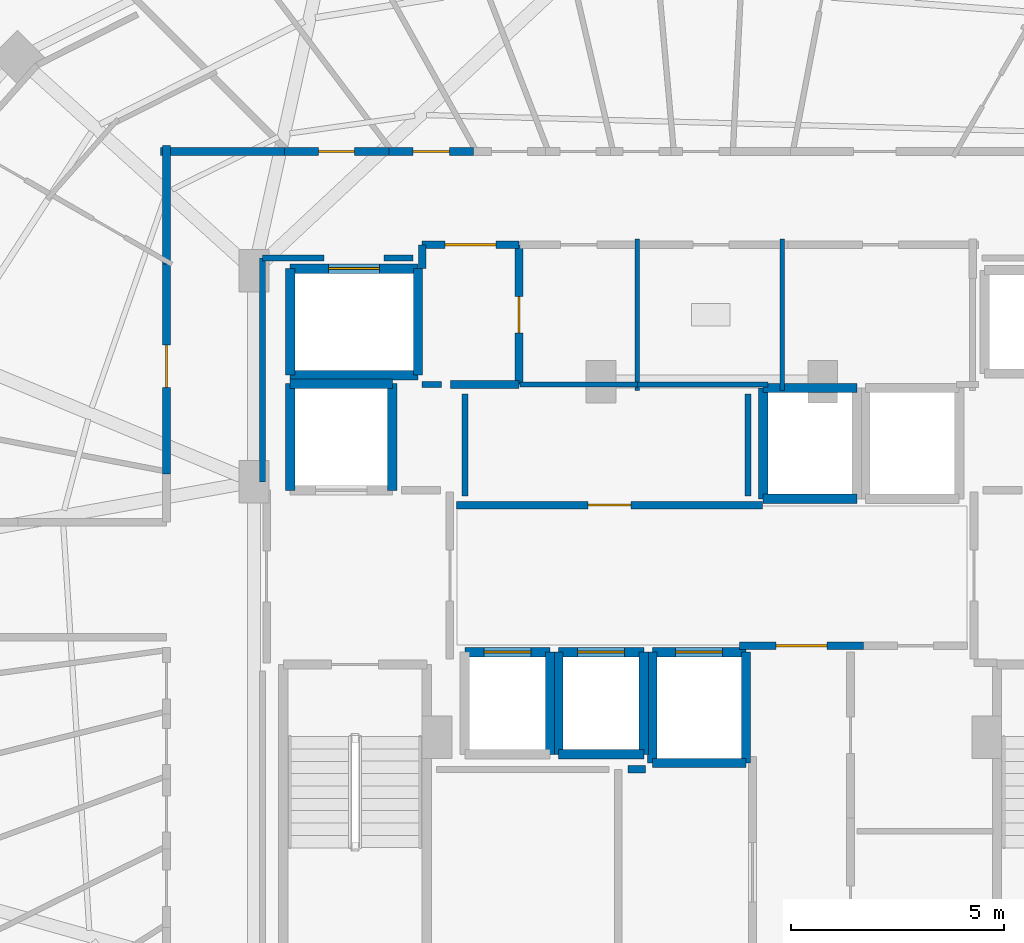
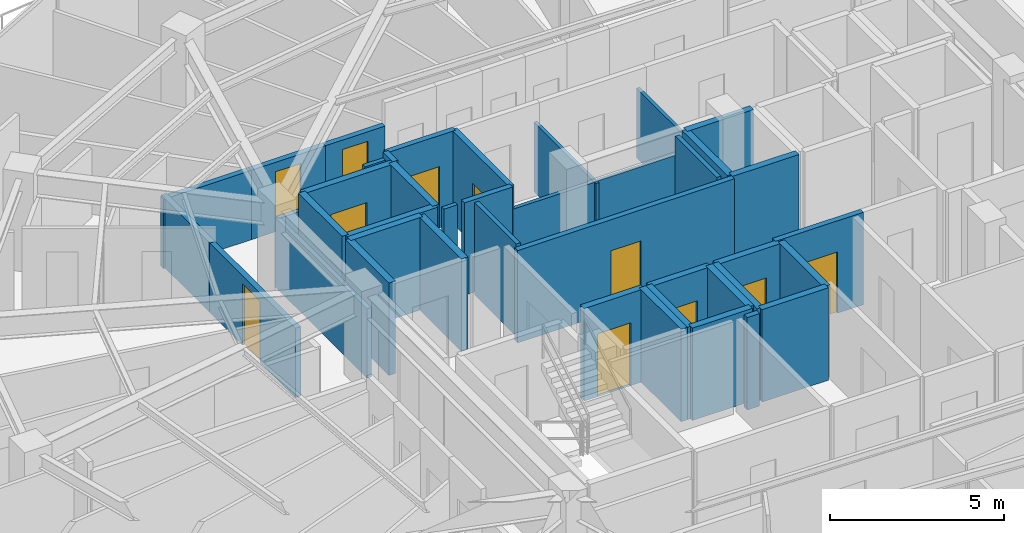
# One storey, part 26 of 33: 42 walls, 11 doors, 11 openings.
"""IFC4 building model written with IfcOpenShell, lengths in metres."""

from ifc_helpers import new_model, si_unit, direction, frame, frame_2d, origin, place, context, subcontext, project, spatial, rectangle, extrude, material, layer, layer_set, type_object, element, fill, save


model = new_model("IFC4")

# Units and contexts
model_context = context("Model", 3, precision=1e-05, world=origin(), true_north=direction((0.0, 1.0)))
body_context = subcontext(model_context, "Body", "Model", "MODEL_VIEW")
ifc_project = project(units=[si_unit("LENGTHUNIT", "METRE"), si_unit("AREAUNIT", "SQUARE_METRE"), si_unit("VOLUMEUNIT", "CUBIC_METRE"), si_unit("PLANEANGLEUNIT", "RADIAN"), si_unit("MASSUNIT", "GRAM", prefix="KILO")], contexts=[model_context])

# Site, building, storey
site_placement = place(None, origin())
site = spatial("IfcSite", under=ifc_project, at=site_placement, CompositionType="ELEMENT")
building_placement = place(site_placement, origin())
building = spatial("IfcBuilding", under=site, at=building_placement, Name="Vorneva Point Tower", CompositionType="ELEMENT")
storey_placement = place(building_placement, frame((0.0, 0.0, 196.60009765625)))
storey = spatial("IfcBuildingStorey", under=building, at=storey_placement, Name="L53", CompositionType="ELEMENT", Elevation=196.60009765625)

# Walls
ifc_material_1 = material(Name="Concrete B60 (C50/60)", Category="concrete")
ifc_layer_1 = layer(ifc_material_1, 0.35009765625)
ifc_layer_set_1 = layer_set([ifc_layer_1], Name="Concrete B60 (C50/60)")
wall_type_1 = type_object("IfcWallType", Name="WL-CORE-350", PredefinedType="SHEAR", material=ifc_layer_set_1)
wall_1_placement = place(storey_placement, frame((30.5, 28.0, 0.0), z_axis=(0.0, 0.0, 1.0), x_axis=(0.0, 1.0, 0.0)))
element("IfcWall", 1, at=wall_1_placement, inside=storey, type_object=wall_type_1, Name="L53 Lift FFL1 Shaft Wall +X", PredefinedType="SHEAR", context=body_context, shape_type="SweptSolid", body=[
    extrude(rectangle(XDim=2.5, YDim=0.219970703125, at=frame_2d((1.25, 0.0))), origin(), (0.0, 0.0, 1.0), 3.239990234375),
])
wall_2_placement = place(storey_placement, frame((30.5, 30.5, 0.0), z_axis=(0.0, 0.0, 1.0), x_axis=(-1.0, 0.0, 0.0)))
element("IfcWall", 2, at=wall_2_placement, inside=storey, type_object=wall_type_1, Name="L53 Lift FFL1 Shaft Wall +Y", PredefinedType="SHEAR", context=body_context, shape_type="SweptSolid", body=[
    extrude(rectangle(XDim=2.39990234375, YDim=0.219970703125, at=frame_2d((1.199951171875, 0.0))), origin(), (0.0, 0.0, 1.0), 3.239990234375),
])
wall_3_placement = place(storey_placement, frame((28.10009765625, 30.5, 0.0), z_axis=(0.0, 0.0, 1.0), x_axis=(0.0, -1.0, 0.0)))
element("IfcWall", 3, at=wall_3_placement, inside=storey, type_object=wall_type_1, Name="L53 Lift FFL1 Shaft Wall -X", PredefinedType="SHEAR", context=body_context, shape_type="SweptSolid", body=[
    extrude(rectangle(XDim=2.5, YDim=0.219970703125, at=frame_2d((1.25, 0.0))), origin(), (0.0, 0.0, 1.0), 3.239990234375),
])
ifc_material_2 = material(Name="Fire-rated acoustic gypsum stud partition", Category="gypsum")
ifc_layer_2 = layer(ifc_material_2, 0.110107421875)
ifc_layer_set_2 = layer_set([ifc_layer_2], Name="Fire-rated acoustic gypsum stud partition")
wall_type_2 = type_object("IfcWallType", Name="WL-PART-110", PredefinedType="PARTITIONING", material=ifc_layer_set_2)
for number, where, z_axis, x_axis, name in (
    (4, (36.25, 30.340087890625, 0.0), (0.0, 0.0, 1.0), (0.0, 1.0, 0.0), "L53 Interior Partition 019"),
    (5, (39.64990234375, 30.340087890625, 0.0), (0.0, 0.0, 1.0), (0.0, 1.0, 0.0), "L53 Interior Partition 022"),
):
    element("IfcWall", number, at=place(storey_placement, frame(where, z_axis=z_axis, x_axis=x_axis)), inside=storey, type_object=wall_type_2, Name=name, PredefinedType="PARTITIONING", context=body_context, shape_type="SweptSolid", body=[
        extrude(rectangle(XDim=3.559814453125, YDim=0.110107421875, at=frame_2d((1.77978515625, 0.0))), origin(), (0.0, 0.0, 1.0), 2.431884765625),
    ])
wall_4_placement = place(storey_placement, frame((36.159912109375, 30.47998046875, 0.0), z_axis=(0.0, 0.0, 1.0), x_axis=(1.0, 0.0, 0.0)))
element("IfcWall", 6, at=wall_4_placement, inside=storey, type_object=wall_type_2, Name="L53 Interior Partition 023", PredefinedType="PARTITIONING", context=body_context, shape_type="SweptSolid", body=[
    extrude(rectangle(XDim=3.16015625, YDim=0.110107421875, at=frame_2d((1.580078125, 0.0))), origin(), (0.0, 0.0, 1.0), 2.431884765625),
])
ifc_layer_3 = layer(ifc_material_2, 0.125)
ifc_layer_set_3 = layer_set([ifc_layer_3], Name="Fire-rated acoustic gypsum stud partition")
wall_type_3 = type_object("IfcWallType", Name="WL-PART-125", PredefinedType="PARTITIONING", material=ifc_layer_set_3)
wall_5_placement = place(storey_placement, frame((33.5, 30.47998046875, 0.0), z_axis=(0.0, 0.0, 1.0), x_axis=(1.0, 0.0, 0.0)))
element("IfcWall", 7, at=wall_5_placement, inside=storey, type_object=wall_type_3, Name="L53 Interior Partition 020", PredefinedType="PARTITIONING", context=body_context, shape_type="SweptSolid", body=[
    extrude(rectangle(XDim=2.75, YDim=0.125, at=frame_2d((1.375, 0.0))), origin(), (0.0, 0.0, 1.0), 2.431884765625),
])
ifc_layer_4 = layer(ifc_material_2, 0.139892578125)
ifc_layer_set_4 = layer_set([ifc_layer_4], Name="Fire-rated acoustic gypsum stud partition")
wall_type_4 = type_object("IfcWallType", Name="WL-PART-140", PredefinedType="PARTITIONING", material=ifc_layer_set_4)
wall_6_placement = place(storey_placement, frame((31.199951171875, 30.47998046875, 0.0), z_axis=(0.0, 0.0, 1.0), x_axis=(1.0, 0.0, 0.0)))
element("IfcWall", 8, at=wall_6_placement, inside=storey, type_object=wall_type_4, Name="L53 Interior Closure Partition 131", PredefinedType="PARTITIONING", context=body_context, shape_type="SweptSolid", body=[
    extrude(rectangle(XDim=0.449951171875, YDim=0.139892578125, at=frame_2d((0.22509765625, 0.0))), origin(), (0.0, 0.0, 1.0), 3.239990234375),
])
for number, where, z_axis, x_axis, name in (
    (9, (32.199951171875, 30.260009765625, 0.0), (0.0, 0.0, 1.0), (0.0, -1.0, 0.0), "L53 Interior Closure Partition 136"),
    (10, (38.85009765625, 27.8701171875, 0.0), (0.0, 0.0, 1.0), (0.0, 1.0, 0.0), "L53 Interior Closure Partition 137"),
):
    element("IfcWall", number, at=place(storey_placement, frame(where, z_axis=z_axis, x_axis=x_axis)), inside=storey, type_object=wall_type_4, Name=name, PredefinedType="PARTITIONING", context=body_context, shape_type="SweptSolid", body=[
        extrude(rectangle(XDim=2.389892578125, YDim=0.139892578125, at=frame_2d((1.19482421875, 0.0))), origin(), (0.0, 0.0, 1.0), 3.239990234375),
    ])
wall_7_placement = place(storey_placement, frame((30.97998046875, 33.449951171875, 0.0), z_axis=(0.0, 0.0, 1.0), x_axis=(-1.0, 0.0, 0.0)))
element("IfcWall", 11, at=wall_7_placement, inside=storey, type_object=wall_type_4, Name="L53 Interior Closure Partition 141", PredefinedType="PARTITIONING", context=body_context, shape_type="SweptSolid", body=[
    extrude(rectangle(XDim=0.674072265625, YDim=0.139892578125, at=frame_2d((0.3369140625, 0.0))), origin(), (0.0, 0.0, 1.0), 3.239990234375),
])
wall_8_placement = place(storey_placement, frame((28.89404296875, 33.449951171875, 0.0), z_axis=(0.0, 0.0, 1.0), x_axis=(-1.0, 0.0, 0.0)))
element("IfcWall", 12, at=wall_8_placement, inside=storey, type_object=wall_type_4, Name="L53 Interior Closure Partition 142", PredefinedType="PARTITIONING", context=body_context, shape_type="SweptSolid", body=[
    extrude(rectangle(XDim=1.444091796875, YDim=0.139892578125, at=frame_2d((0.72216796875, 0.0))), origin(), (0.0, 0.0, 1.0), 2.431884765625),
])
wall_9_placement = place(storey_placement, frame((27.449951171875, 33.449951171875, 0.0), z_axis=(0.0, 0.0, 1.0), x_axis=(0.0, -1.0, 0.0)))
element("IfcWall", 13, at=wall_9_placement, inside=storey, type_object=wall_type_4, Name="L53 Interior Closure Partition 143", PredefinedType="PARTITIONING", context=body_context, shape_type="SweptSolid", body=[
    extrude(rectangle(XDim=5.25390625, YDim=0.139892578125, at=frame_2d((2.626953125, 0.0))), origin(), (0.0, 0.0, 1.0), 2.431884765625),
])

# Wall, opening, door
ifc_material_3 = material(Name="Autoclaved aerated concrete blockwork", Category="masonry")
ifc_layer_5 = layer(ifc_material_3, 0.179931640625)
ifc_layer_set_5 = layer_set([ifc_layer_5], Name="Autoclaved aerated concrete blockwork")
wall_type_5 = type_object("IfcWallType", Name="WL-PART-180", PredefinedType="PARTITIONING", material=ifc_layer_set_5)
wall_10_placement = place(storey_placement, frame((33.469970703125, 30.47998046875, 0.0), z_axis=(0.0, 0.0, 1.0), x_axis=(0.0, 1.0, 0.0)))
wall_10 = element("IfcWall", 14, at=wall_10_placement, inside=storey, type_object=wall_type_5, Name="L53 Interior Partition 006", PredefinedType="PARTITIONING", context=body_context, shape_type="SweptSolid", body=[
    extrude(rectangle(XDim=3.280029296875, YDim=0.179931640625, at=frame_2d((1.64013671875, 0.0))), origin(), (0.0, 0.0, 1.0), 3.239990234375),
])
opening_1_placement = place(wall_10_placement, frame((1.215087890625, 0.0, 0.0)))
opening_1 = element("IfcOpeningElement", 15, at=opening_1_placement, cuts=wall_10, Name="Opening ID-02", PredefinedType="OPENING", context=body_context, shape_type="SweptSolid", body=[
    extrude(rectangle(XDim=0.85009765625, YDim=2.10009765625, at=frame_2d((0.425048828125, 1.050048828125))), frame((0.0, 0.10498046875, 0.0), z_axis=(0.0, -1.0, 0.0), x_axis=(1.0, 0.0, 0.0)), (0.0, 0.0, 1.0), 0.209716796875),
])
ifc_material_4 = material(Name="Engineered oak fire-rated door leaf", Category="wood")
door_type_1 = type_object("IfcDoorType", Name="DR-BATH-850", OperationType="NOTDEFINED", PredefinedType="DOOR", material=ifc_material_4)
door_1_placement = place(opening_1_placement, origin())
door_1 = element("IfcDoor", 16, at=door_1_placement, inside=storey, type_object=door_type_1, Name="L53 Door Service Lift Lobby / Core Supply Store", OperationType="SINGLE_SWING_LEFT", OverallHeight=2.10009765625, OverallWidth=0.85009765625, PredefinedType="DOOR", context=body_context, shape_type="SweptSolid", body=[
    extrude(rectangle(XDim=0.85009765625, YDim=2.10009765625, at=frame_2d((0.425048828125, 1.050048828125))), frame((0.0, 0.02490234375, 0.0), z_axis=(0.0, -1.0, 0.0), x_axis=(1.0, 0.0, 0.0)), (0.0, 0.0, 1.0), 0.050048828125),
])
fill(opening_1, door_1)

# Wall
wall_11_placement = place(storey_placement, frame((31.8701171875, 30.47998046875, 0.0), z_axis=(0.0, 0.0, 1.0), x_axis=(1.0, 0.0, 0.0)))
element("IfcWall", 17, at=wall_11_placement, inside=storey, type_object=wall_type_5, Name="L53 Interior Partition 007", PredefinedType="PARTITIONING", context=body_context, shape_type="SweptSolid", body=[
    extrude(rectangle(XDim=1.599853515625, YDim=0.179931640625, at=frame_2d((0.7998046875, 0.0))), origin(), (0.0, 0.0, 1.0), 3.239990234375),
])

# Wall, opening, door
wall_12_placement = place(storey_placement, frame((33.469970703125, 33.760009765625, 0.0), z_axis=(0.0, 0.0, 1.0), x_axis=(-1.0, 0.0, 0.0)))
wall_12 = element("IfcWall", 18, at=wall_12_placement, inside=storey, type_object=wall_type_5, Name="L53 Interior Partition 008", PredefinedType="PARTITIONING", context=body_context, shape_type="SweptSolid", body=[
    extrude(rectangle(XDim=2.27001953125, YDim=0.179931640625, at=frame_2d((1.135009765625, 0.0))), origin(), (0.0, 0.0, 1.0), 3.239990234375),
])
opening_2_placement = place(wall_12_placement, frame((0.534912109375, 0.0, 0.0)))
opening_2 = element("IfcOpeningElement", 19, at=opening_2_placement, cuts=wall_12, Name="Opening FD-02", PredefinedType="OPENING", context=body_context, shape_type="SweptSolid", body=[
    extrude(rectangle(XDim=1.199951171875, YDim=2.14990234375, at=frame_2d((0.60009765625, 1.074951171875))), frame((0.0, 0.10498046875, 0.0), z_axis=(0.0, -1.0, 0.0), x_axis=(1.0, 0.0, 0.0)), (0.0, 0.0, 1.0), 0.209716796875),
])
ifc_material_5 = material(Name="Fire-rated powder-coated steel", Category="steel")
door_type_2 = type_object("IfcDoorType", Name="DR-FFL-1200", OperationType="NOTDEFINED", PredefinedType="DOOR", material=ifc_material_5)
door_2_placement = place(opening_2_placement, origin())
door_2 = element("IfcDoor", 20, at=door_2_placement, inside=storey, type_object=door_type_2, Name="L53 Door Service Lift Lobby / L53 Circulation Corridor", OperationType="SINGLE_SWING_RIGHT", OverallHeight=2.14990234375, OverallWidth=1.199951171875, PredefinedType="DOOR", context=body_context, shape_type="SweptSolid", body=[
    extrude(rectangle(XDim=1.199951171875, YDim=2.14990234375, at=frame_2d((0.60009765625, 1.074951171875))), frame((0.0, 0.02490234375, 0.0), z_axis=(0.0, -1.0, 0.0), x_axis=(1.0, 0.0, 0.0)), (0.0, 0.0, 1.0), 0.050048828125),
])
fill(opening_2, door_2)

# Wall
wall_13_placement = place(storey_placement, frame((31.199951171875, 33.760009765625, 0.0), z_axis=(0.0, 0.0, 1.0), x_axis=(0.0, -1.0, 0.0)))
element("IfcWall", 21, at=wall_13_placement, inside=storey, type_object=wall_type_5, Name="L53 Interior Partition 009", PredefinedType="PARTITIONING", context=body_context, shape_type="SweptSolid", body=[
    extrude(rectangle(XDim=0.56005859375, YDim=0.179931640625, at=frame_2d((0.280029296875, 0.0))), origin(), (0.0, 0.0, 1.0), 3.239990234375),
])

# Wall, opening, door
wall_14_placement = place(storey_placement, frame((38.64501953125, 24.35009765625, 0.0), z_axis=(0.0, 0.0, 1.0), x_axis=(1.0, 0.0, 0.0)))
wall_14 = element("IfcWall", 22, at=wall_14_placement, inside=storey, type_object=wall_type_5, Name="L53 Interior Partition 010", PredefinedType="PARTITIONING", context=body_context, shape_type="SweptSolid", body=[
    extrude(rectangle(XDim=2.909912109375, YDim=0.179931640625, at=frame_2d((1.455078125, 0.0))), origin(), (0.0, 0.0, 1.0), 3.239990234375),
])
opening_3_placement = place(wall_14_placement, frame((0.85498046875, 0.0, 0.0)))
opening_3 = element("IfcOpeningElement", 23, at=opening_3_placement, cuts=wall_14, Name="Opening FD-02", PredefinedType="OPENING", context=body_context, shape_type="SweptSolid", body=[
    extrude(rectangle(XDim=1.199951171875, YDim=2.14990234375, at=frame_2d((0.60009765625, 1.074951171875))), frame((0.0, 0.10498046875, 0.0), z_axis=(0.0, -1.0, 0.0), x_axis=(1.0, 0.0, 0.0)), (0.0, 0.0, 1.0), 0.209716796875),
])
door_3_placement = place(opening_3_placement, origin())
door_3 = element("IfcDoor", 24, at=door_3_placement, inside=storey, type_object=door_type_2, Name="L53 Door Central Lift Lobby / Core Service Lobby", OperationType="SINGLE_SWING_LEFT", OverallHeight=2.14990234375, OverallWidth=1.199951171875, PredefinedType="DOOR", context=body_context, shape_type="SweptSolid", body=[
    extrude(rectangle(XDim=1.199951171875, YDim=2.14990234375, at=frame_2d((0.60009765625, 1.074951171875))), frame((0.0, 0.02490234375, 0.0), z_axis=(0.0, -1.0, 0.0), x_axis=(1.0, 0.0, 0.0)), (0.0, 0.0, 1.0), 0.050048828125),
])
fill(opening_3, door_3)

wall_15_placement = place(storey_placement, frame((39.18994140625, 27.64990234375, 0.0), z_axis=(0.0, 0.0, 1.0), x_axis=(-1.0, 0.0, 0.0)))
wall_15 = element("IfcWall", 25, at=wall_15_placement, inside=storey, type_object=wall_type_5, Name="L53 Interior Partition 012", PredefinedType="PARTITIONING", context=body_context, shape_type="SweptSolid", body=[
    extrude(rectangle(XDim=7.18994140625, YDim=0.179931640625, at=frame_2d((3.594970703125, 0.0))), origin(), (0.0, 0.0, 1.0), 3.239990234375),
])
opening_4_placement = place(wall_15_placement, frame((3.094970703125, 0.0, 0.0)))
opening_4 = element("IfcOpeningElement", 26, at=opening_4_placement, cuts=wall_15, Name="Opening UD-01", PredefinedType="OPENING", context=body_context, shape_type="SweptSolid", body=[
    extrude(rectangle(XDim=1.0, YDim=2.14990234375, at=frame_2d((0.5, 1.074951171875))), frame((0.0, 0.10498046875, 0.0), z_axis=(0.0, -1.0, 0.0), x_axis=(1.0, 0.0, 0.0)), (0.0, 0.0, 1.0), 0.209716796875),
])
door_type_3 = type_object("IfcDoorType", Name="DR-UNIT-1000", OperationType="NOTDEFINED", PredefinedType="DOOR", material=ifc_material_4)
door_4_placement = place(opening_4_placement, origin())
door_4 = element("IfcDoor", 27, at=door_4_placement, inside=storey, type_object=door_type_3, Name="L53 Door Central Lift Lobby / Reclaimed Core Meeting Room", OperationType="SINGLE_SWING_LEFT", OverallHeight=2.14990234375, OverallWidth=1.0, PredefinedType="DOOR", context=body_context, shape_type="SweptSolid", body=[
    extrude(rectangle(XDim=1.0, YDim=2.14990234375, at=frame_2d((0.5, 1.074951171875))), frame((0.0, 0.02490234375, 0.0), z_axis=(0.0, -1.0, 0.0), x_axis=(1.0, 0.0, 0.0)), (0.0, 0.0, 1.0), 0.050048828125),
])
fill(opening_4, door_4)

wall_16_placement = place(storey_placement, frame((32.403076171875, 35.949951171875, 0.0), z_axis=(0.0, 0.0, 1.0), x_axis=(-1.0, 0.0, 0.0)))
wall_16 = element("IfcWall", 28, at=wall_16_placement, inside=storey, type_object=wall_type_5, Name="L53 Interior Partition 037", PredefinedType="PARTITIONING", context=body_context, shape_type="SweptSolid", body=[
    extrude(rectangle(XDim=1.984130859375, YDim=0.179931640625, at=frame_2d((0.9921875, 0.0))), origin(), (0.0, 0.0, 1.0), 2.431884765625),
])
opening_5_placement = place(wall_16_placement, frame((0.56689453125, 0.0, 0.0)))
opening_5 = element("IfcOpeningElement", 29, at=opening_5_placement, cuts=wall_16, Name="Opening ID-02", PredefinedType="OPENING", context=body_context, shape_type="SweptSolid", body=[
    extrude(rectangle(XDim=0.85009765625, YDim=2.10009765625, at=frame_2d((0.425048828125, 1.050048828125))), frame((0.0, 0.10498046875, 0.0), z_axis=(0.0, -1.0, 0.0), x_axis=(1.0, 0.0, 0.0)), (0.0, 0.0, 1.0), 0.209716796875),
])
door_5_placement = place(opening_5_placement, origin())
door_5 = element("IfcDoor", 30, at=door_5_placement, inside=storey, type_object=door_type_1, Name="L53 Access Door L53 Circulation Corridor", OperationType="SINGLE_SWING_RIGHT", OverallHeight=2.10009765625, OverallWidth=0.85009765625, PredefinedType="DOOR", context=body_context, shape_type="SweptSolid", body=[
    extrude(rectangle(XDim=0.85009765625, YDim=2.10009765625, at=frame_2d((0.425048828125, 1.050048828125))), frame((0.0, 0.02490234375, 0.0), z_axis=(0.0, -1.0, 0.0), x_axis=(1.0, 0.0, 0.0)), (0.0, 0.0, 1.0), 0.050048828125),
])
fill(opening_5, door_5)

wall_17_placement = place(storey_placement, frame((30.4189453125, 35.949951171875, 0.0), z_axis=(0.0, 0.0, 1.0), x_axis=(-1.0, 0.0, 0.0)))
wall_17 = element("IfcWall", 31, at=wall_17_placement, inside=storey, type_object=wall_type_5, Name="L53 Interior Partition 038", PredefinedType="PARTITIONING", context=body_context, shape_type="SweptSolid", body=[
    extrude(rectangle(XDim=2.453857421875, YDim=0.179931640625, at=frame_2d((1.22705078125, 0.0))), origin(), (0.0, 0.0, 1.0), 2.431884765625),
])
opening_6_placement = place(wall_17_placement, frame((0.802001953125, 0.0, 0.0)))
opening_6 = element("IfcOpeningElement", 32, at=opening_6_placement, cuts=wall_17, Name="Opening ID-02", PredefinedType="OPENING", context=body_context, shape_type="SweptSolid", body=[
    extrude(rectangle(XDim=0.85009765625, YDim=2.10009765625, at=frame_2d((0.425048828125, 1.050048828125))), frame((0.0, 0.10498046875, 0.0), z_axis=(0.0, -1.0, 0.0), x_axis=(1.0, 0.0, 0.0)), (0.0, 0.0, 1.0), 0.209716796875),
])
door_6_placement = place(opening_6_placement, origin())
door_6 = element("IfcDoor", 33, at=door_6_placement, inside=storey, type_object=door_type_1, Name="L53 Access Door L53 Circulation Corridor", OperationType="SINGLE_SWING_LEFT", OverallHeight=2.10009765625, OverallWidth=0.85009765625, PredefinedType="DOOR", context=body_context, shape_type="SweptSolid", body=[
    extrude(rectangle(XDim=0.85009765625, YDim=2.10009765625, at=frame_2d((0.425048828125, 1.050048828125))), frame((0.0, 0.02490234375, 0.0), z_axis=(0.0, -1.0, 0.0), x_axis=(1.0, 0.0, 0.0)), (0.0, 0.0, 1.0), 0.050048828125),
])
fill(opening_6, door_6)

wall_18_placement = place(storey_placement, frame((25.199951171875, 33.445068359375, 0.0), z_axis=(0.0, 0.0, 1.0), x_axis=(0.0, -1.0, 0.0)))
wall_18 = element("IfcWall", 34, at=wall_18_placement, inside=storey, type_object=wall_type_5, Name="L53 Interior Partition 039", PredefinedType="PARTITIONING", context=body_context, shape_type="SweptSolid", body=[
    extrude(rectangle(XDim=5.06298828125, YDim=0.179931640625, at=frame_2d((2.531494140625, 0.0))), origin(), (0.0, 0.0, 1.0), 2.431884765625),
])
opening_7_placement = place(wall_18_placement, frame((2.031494140625, 0.0, 0.0)))
opening_7 = element("IfcOpeningElement", 35, at=opening_7_placement, cuts=wall_18, Name="Opening UD-01", PredefinedType="OPENING", context=body_context, shape_type="SweptSolid", body=[
    extrude(rectangle(XDim=1.0, YDim=2.14990234375, at=frame_2d((0.5, 1.074951171875))), frame((0.0, 0.10498046875, 0.0), z_axis=(0.0, -1.0, 0.0), x_axis=(1.0, 0.0, 0.0)), (0.0, 0.0, 1.0), 0.209716796875),
])
door_7_placement = place(opening_7_placement, origin())
door_7 = element("IfcDoor", 36, at=door_7_placement, inside=storey, type_object=door_type_3, Name="L53 Door L53 Circulation Corridor / Living and Dining Room L53-02", OperationType="SINGLE_SWING_LEFT", OverallHeight=2.14990234375, OverallWidth=1.0, PredefinedType="DOOR", context=body_context, shape_type="SweptSolid", body=[
    extrude(rectangle(XDim=1.0, YDim=2.14990234375, at=frame_2d((0.5, 1.074951171875))), frame((0.0, 0.02490234375, 0.0), z_axis=(0.0, -1.0, 0.0), x_axis=(1.0, 0.0, 0.0)), (0.0, 0.0, 1.0), 0.050048828125),
])
fill(opening_7, door_7)

# Walls
wall_19_placement = place(storey_placement, frame((28.10498046875, 35.949951171875, 0.0), z_axis=(0.0, 0.0, 1.0), x_axis=(-1.0, 0.0, 0.0)))
element("IfcWall", 37, at=wall_19_placement, inside=storey, type_object=wall_type_5, Name="L53 Interior Partition 040", PredefinedType="PARTITIONING", context=body_context, shape_type="SweptSolid", body=[
    extrude(rectangle(XDim=3.044921875, YDim=0.179931640625, at=frame_2d((1.5224609375, 0.0))), origin(), (0.0, 0.0, 1.0), 2.431884765625),
])
wall_20_placement = place(storey_placement, frame((25.199951171875, 36.090087890625, 0.0), z_axis=(0.0, 0.0, 1.0), x_axis=(0.0, -1.0, 0.0)))
element("IfcWall", 38, at=wall_20_placement, inside=storey, type_object=wall_type_5, Name="L53 Interior Partition 041", PredefinedType="PARTITIONING", context=body_context, shape_type="SweptSolid", body=[
    extrude(rectangle(XDim=2.78515625, YDim=0.179931640625, at=frame_2d((1.392578125, 0.0))), origin(), (0.0, 0.0, 1.0), 2.431884765625),
])
wall_21_placement = place(storey_placement, frame((36.43896484375, 21.449951171875, 0.0), z_axis=(0.0, 0.0, 1.0), x_axis=(-1.0, 0.0, 0.0)))
element("IfcWall", 39, at=wall_21_placement, inside=storey, type_object=wall_type_5, Name="L53 Interior Closure Partition 135", PredefinedType="PARTITIONING", context=body_context, shape_type="SweptSolid", body=[
    extrude(rectangle(XDim=0.408935546875, YDim=0.179931640625, at=frame_2d((0.20458984375, 0.0))), origin(), (0.0, 0.0, 1.0), 3.239990234375),
])
ifc_material_6 = material(Name="Concrete B50 (C40/50)", Category="concrete")
ifc_layer_6 = layer(ifc_material_6, 0.219970703125)
ifc_layer_set_6 = layer_set([ifc_layer_6], Name="Concrete B50 (C40/50)")
wall_type_6 = type_object("IfcWallType", Name="WL-SHFT-220", PredefinedType="SOLIDWALL", material=ifc_layer_set_6)
wall_22_placement = place(storey_placement, frame((34.199951171875, 21.800048828125, 0.0), z_axis=(0.0, 0.0, 1.0), x_axis=(0.0, 1.0, 0.0)))
element("IfcWall", 40, at=wall_22_placement, inside=storey, type_object=wall_type_6, Name="L53 Lift PL4 Shaft Wall +X", PredefinedType="SOLIDWALL", context=body_context, shape_type="SweptSolid", body=[
    extrude(rectangle(XDim=2.39990234375, YDim=0.219970703125, at=frame_2d((1.199951171875, 0.0))), origin(), (0.0, 0.0, 1.0), 3.239990234375),
])

# Wall, opening, door
wall_23_placement = place(storey_placement, frame((34.199951171875, 24.199951171875, 0.0), z_axis=(0.0, 0.0, 1.0), x_axis=(-1.0, 0.0, 0.0)))
wall_23 = element("IfcWall", 41, at=wall_23_placement, inside=storey, type_object=wall_type_6, Name="L53 Lift PL4 Shaft Wall +Y", PredefinedType="SOLIDWALL", context=body_context, shape_type="SweptSolid", body=[
    extrude(rectangle(XDim=2.0, YDim=0.219970703125, at=frame_2d((1.0, 0.0))), origin(), (0.0, 0.0, 1.0), 3.239990234375),
])
opening_8_placement = place(wall_23_placement, frame((0.449951171875, 0.0, 0.0)))
opening_8 = element("IfcOpeningElement", 42, at=opening_8_placement, cuts=wall_23, Name="Opening LD-01", PredefinedType="OPENING", context=body_context, shape_type="SweptSolid", body=[
    extrude(rectangle(XDim=1.10009765625, YDim=2.199951171875, at=frame_2d((0.550048828125, 1.10009765625))), frame((0.0, 0.125, 0.0), z_axis=(0.0, -1.0, 0.0), x_axis=(1.0, 0.0, 0.0)), (0.0, 0.0, 1.0), 0.249755859375),
])
ifc_material_7 = material(Name="Brushed stainless steel S304", Category="steel")
door_type_4 = type_object("IfcDoorType", Name="LD-PASS-1100", OperationType="SLIDING_TO_LEFT", PredefinedType="DOOR", material=ifc_material_7)
door_8_placement = place(opening_8_placement, origin())
door_8 = element("IfcDoor", 43, at=door_8_placement, inside=storey, type_object=door_type_4, Name="L53 Lift PL4 Sliding Landing Door", OperationType="SLIDING_TO_LEFT", OverallHeight=2.199951171875, OverallWidth=1.10009765625, PredefinedType="DOOR", context=body_context, shape_type="SweptSolid", body=[
    extrude(rectangle(XDim=1.10009765625, YDim=2.199951171875, at=frame_2d((0.550048828125, 1.10009765625))), frame((0.0, 0.02490234375, 0.0), z_axis=(0.0, -1.0, 0.0), x_axis=(1.0, 0.0, 0.0)), (0.0, 0.0, 1.0), 0.050048828125),
])
fill(opening_8, door_8)

# Walls
wall_24_placement = place(storey_placement, frame((34.39990234375, 21.800048828125, 0.0), z_axis=(0.0, 0.0, 1.0), x_axis=(1.0, 0.0, 0.0)))
element("IfcWall", 44, at=wall_24_placement, inside=storey, type_object=wall_type_6, Name="L53 Lift PL5 Shaft Wall -Y", PredefinedType="SOLIDWALL", context=body_context, shape_type="SweptSolid", body=[
    extrude(rectangle(XDim=2.0, YDim=0.219970703125, at=frame_2d((1.0, 0.0))), origin(), (0.0, 0.0, 1.0), 3.239990234375),
])
wall_25_placement = place(storey_placement, frame((36.39990234375, 21.800048828125, 0.0), z_axis=(0.0, 0.0, 1.0), x_axis=(0.0, 1.0, 0.0)))
element("IfcWall", 45, at=wall_25_placement, inside=storey, type_object=wall_type_6, Name="L53 Lift PL5 Shaft Wall +X", PredefinedType="SOLIDWALL", context=body_context, shape_type="SweptSolid", body=[
    extrude(rectangle(XDim=2.39990234375, YDim=0.219970703125, at=frame_2d((1.199951171875, 0.0))), origin(), (0.0, 0.0, 1.0), 3.239990234375),
])

# Wall, opening, door
wall_26_placement = place(storey_placement, frame((36.39990234375, 24.199951171875, 0.0), z_axis=(0.0, 0.0, 1.0), x_axis=(-1.0, 0.0, 0.0)))
wall_26 = element("IfcWall", 46, at=wall_26_placement, inside=storey, type_object=wall_type_6, Name="L53 Lift PL5 Shaft Wall +Y", PredefinedType="SOLIDWALL", context=body_context, shape_type="SweptSolid", body=[
    extrude(rectangle(XDim=2.0, YDim=0.219970703125, at=frame_2d((1.0, 0.0))), origin(), (0.0, 0.0, 1.0), 3.239990234375),
])
opening_9_placement = place(wall_26_placement, frame((0.449951171875, 0.0, 0.0)))
opening_9 = element("IfcOpeningElement", 47, at=opening_9_placement, cuts=wall_26, Name="Opening LD-01", PredefinedType="OPENING", context=body_context, shape_type="SweptSolid", body=[
    extrude(rectangle(XDim=1.10009765625, YDim=2.199951171875, at=frame_2d((0.550048828125, 1.10009765625))), frame((0.0, 0.125, 0.0), z_axis=(0.0, -1.0, 0.0), x_axis=(1.0, 0.0, 0.0)), (0.0, 0.0, 1.0), 0.249755859375),
])
door_9_placement = place(opening_9_placement, origin())
door_9 = element("IfcDoor", 48, at=door_9_placement, inside=storey, type_object=door_type_4, Name="L53 Lift PL5 Sliding Landing Door", OperationType="SLIDING_TO_LEFT", OverallHeight=2.199951171875, OverallWidth=1.10009765625, PredefinedType="DOOR", context=body_context, shape_type="SweptSolid", body=[
    extrude(rectangle(XDim=1.10009765625, YDim=2.199951171875, at=frame_2d((0.550048828125, 1.10009765625))), frame((0.0, 0.02490234375, 0.0), z_axis=(0.0, -1.0, 0.0), x_axis=(1.0, 0.0, 0.0)), (0.0, 0.0, 1.0), 0.050048828125),
])
fill(opening_9, door_9)

# Walls
wall_27_placement = place(storey_placement, frame((34.39990234375, 24.199951171875, 0.0), z_axis=(0.0, 0.0, 1.0), x_axis=(0.0, -1.0, 0.0)))
element("IfcWall", 49, at=wall_27_placement, inside=storey, type_object=wall_type_6, Name="L53 Lift PL5 Shaft Wall -X", PredefinedType="SOLIDWALL", context=body_context, shape_type="SweptSolid", body=[
    extrude(rectangle(XDim=2.39990234375, YDim=0.219970703125, at=frame_2d((1.199951171875, 0.0))), origin(), (0.0, 0.0, 1.0), 3.239990234375),
])
wall_28_placement = place(storey_placement, frame((36.60009765625, 21.60009765625, 0.0), z_axis=(0.0, 0.0, 1.0), x_axis=(1.0, 0.0, 0.0)))
element("IfcWall", 50, at=wall_28_placement, inside=storey, type_object=wall_type_6, Name="L53 Lift PL6 Shaft Wall -Y", PredefinedType="SOLIDWALL", context=body_context, shape_type="SweptSolid", body=[
    extrude(rectangle(XDim=2.199951171875, YDim=0.219970703125, at=frame_2d((1.10009765625, 0.0))), origin(), (0.0, 0.0, 1.0), 3.239990234375),
])
wall_29_placement = place(storey_placement, frame((38.800048828125, 21.60009765625, 0.0), z_axis=(0.0, 0.0, 1.0), x_axis=(0.0, 1.0, 0.0)))
element("IfcWall", 51, at=wall_29_placement, inside=storey, type_object=wall_type_6, Name="L53 Lift PL6 Shaft Wall +X", PredefinedType="SOLIDWALL", context=body_context, shape_type="SweptSolid", body=[
    extrude(rectangle(XDim=2.599853515625, YDim=0.219970703125, at=frame_2d((1.2998046875, 0.0))), origin(), (0.0, 0.0, 1.0), 3.239990234375),
])

# Wall, opening, door
wall_30_placement = place(storey_placement, frame((38.800048828125, 24.199951171875, 0.0), z_axis=(0.0, 0.0, 1.0), x_axis=(-1.0, 0.0, 0.0)))
wall_30 = element("IfcWall", 52, at=wall_30_placement, inside=storey, type_object=wall_type_6, Name="L53 Lift PL6 Shaft Wall +Y", PredefinedType="SOLIDWALL", context=body_context, shape_type="SweptSolid", body=[
    extrude(rectangle(XDim=2.199951171875, YDim=0.219970703125, at=frame_2d((1.10009765625, 0.0))), origin(), (0.0, 0.0, 1.0), 3.239990234375),
])
opening_10_placement = place(wall_30_placement, frame((0.550048828125, 0.0, 0.0)))
opening_10 = element("IfcOpeningElement", 53, at=opening_10_placement, cuts=wall_30, Name="Opening LD-01", PredefinedType="OPENING", context=body_context, shape_type="SweptSolid", body=[
    extrude(rectangle(XDim=1.10009765625, YDim=2.199951171875, at=frame_2d((0.550048828125, 1.10009765625))), frame((0.0, 0.125, 0.0), z_axis=(0.0, -1.0, 0.0), x_axis=(1.0, 0.0, 0.0)), (0.0, 0.0, 1.0), 0.249755859375),
])
door_10_placement = place(opening_10_placement, origin())
door_10 = element("IfcDoor", 54, at=door_10_placement, inside=storey, type_object=door_type_4, Name="L53 Lift PL6 Sliding Landing Door", OperationType="SLIDING_TO_LEFT", OverallHeight=2.199951171875, OverallWidth=1.10009765625, PredefinedType="DOOR", context=body_context, shape_type="SweptSolid", body=[
    extrude(rectangle(XDim=1.10009765625, YDim=2.199951171875, at=frame_2d((0.550048828125, 1.10009765625))), frame((0.0, 0.02490234375, 0.0), z_axis=(0.0, -1.0, 0.0), x_axis=(1.0, 0.0, 0.0)), (0.0, 0.0, 1.0), 0.050048828125),
])
fill(opening_10, door_10)

# Walls
wall_31_placement = place(storey_placement, frame((36.60009765625, 24.199951171875, 0.0), z_axis=(0.0, 0.0, 1.0), x_axis=(0.0, -1.0, 0.0)))
element("IfcWall", 55, at=wall_31_placement, inside=storey, type_object=wall_type_6, Name="L53 Lift PL6 Shaft Wall -X", PredefinedType="SOLIDWALL", context=body_context, shape_type="SweptSolid", body=[
    extrude(rectangle(XDim=2.599853515625, YDim=0.219970703125, at=frame_2d((1.2998046875, 0.0))), origin(), (0.0, 0.0, 1.0), 3.239990234375),
])
for number, where, z_axis, x_axis, name in (
    (56, (39.199951171875, 27.800048828125, 0.0), (0.0, 0.0, 1.0), (1.0, 0.0, 0.0), "L53 Lift PL7 Shaft Wall -Y"),
    (57, (41.39990234375, 30.39990234375, 0.0), (0.0, 0.0, 1.0), (-1.0, 0.0, 0.0), "L53 Lift PL7 Shaft Wall +Y"),
):
    element("IfcWall", number, at=place(storey_placement, frame(where, z_axis=z_axis, x_axis=x_axis)), inside=storey, type_object=wall_type_6, Name=name, PredefinedType="SOLIDWALL", context=body_context, shape_type="SweptSolid", body=[
        extrude(rectangle(XDim=2.199951171875, YDim=0.219970703125, at=frame_2d((1.10009765625, 0.0))), origin(), (0.0, 0.0, 1.0), 3.239990234375),
    ])
wall_32_placement = place(storey_placement, frame((39.199951171875, 30.39990234375, 0.0), z_axis=(0.0, 0.0, 1.0), x_axis=(0.0, -1.0, 0.0)))
element("IfcWall", 58, at=wall_32_placement, inside=storey, type_object=wall_type_6, Name="L53 Lift PL7 Shaft Wall -X", PredefinedType="SOLIDWALL", context=body_context, shape_type="SweptSolid", body=[
    extrude(rectangle(XDim=2.599853515625, YDim=0.219970703125, at=frame_2d((1.2998046875, 0.0))), origin(), (0.0, 0.0, 1.0), 3.239990234375),
])
wall_33_placement = place(storey_placement, frame((28.10009765625, 30.699951171875, 0.0), z_axis=(0.0, 0.0, 1.0), x_axis=(1.0, 0.0, 0.0)))
element("IfcWall", 59, at=wall_33_placement, inside=storey, type_object=wall_type_6, Name="L53 Lift SVL1 Shaft Wall -Y", PredefinedType="SOLIDWALL", context=body_context, shape_type="SweptSolid", body=[
    extrude(rectangle(XDim=3.0, YDim=0.219970703125, at=frame_2d((1.5, 0.0))), origin(), (0.0, 0.0, 1.0), 3.239990234375),
])
wall_34_placement = place(storey_placement, frame((31.10009765625, 30.699951171875, 0.0), z_axis=(0.0, 0.0, 1.0), x_axis=(0.0, 1.0, 0.0)))
element("IfcWall", 60, at=wall_34_placement, inside=storey, type_object=wall_type_6, Name="L53 Lift SVL1 Shaft Wall +X", PredefinedType="SOLIDWALL", context=body_context, shape_type="SweptSolid", body=[
    extrude(rectangle(XDim=2.5, YDim=0.219970703125, at=frame_2d((1.25, 0.0))), origin(), (0.0, 0.0, 1.0), 3.239990234375),
])

# Wall, opening, door
wall_35_placement = place(storey_placement, frame((31.10009765625, 33.199951171875, 0.0), z_axis=(0.0, 0.0, 1.0), x_axis=(-1.0, 0.0, 0.0)))
wall_35 = element("IfcWall", 61, at=wall_35_placement, inside=storey, type_object=wall_type_6, Name="L53 Lift SVL1 Shaft Wall +Y", PredefinedType="SOLIDWALL", context=body_context, shape_type="SweptSolid", body=[
    extrude(rectangle(XDim=3.0, YDim=0.219970703125, at=frame_2d((1.5, 0.0))), origin(), (0.0, 0.0, 1.0), 3.239990234375),
])
opening_11_placement = place(wall_35_placement, frame((0.89990234375, 0.0, 0.0)))
opening_11 = element("IfcOpeningElement", 62, at=opening_11_placement, cuts=wall_35, Name="Opening LD-02", PredefinedType="OPENING", context=body_context, shape_type="SweptSolid", body=[
    extrude(rectangle(XDim=1.199951171875, YDim=2.199951171875, at=frame_2d((0.60009765625, 1.10009765625))), frame((0.0, 0.125, 0.0), z_axis=(0.0, -1.0, 0.0), x_axis=(1.0, 0.0, 0.0)), (0.0, 0.0, 1.0), 0.249755859375),
])
door_type_5 = type_object("IfcDoorType", Name="LD-FIRE-1200", OperationType="SLIDING_TO_LEFT", PredefinedType="DOOR", material=ifc_material_7)
door_11_placement = place(opening_11_placement, origin())
door_11 = element("IfcDoor", 63, at=door_11_placement, inside=storey, type_object=door_type_5, Name="L53 Lift SVL1 Sliding Landing Door", OperationType="SLIDING_TO_LEFT", OverallHeight=2.199951171875, OverallWidth=1.199951171875, PredefinedType="DOOR", context=body_context, shape_type="SweptSolid", body=[
    extrude(rectangle(XDim=1.199951171875, YDim=2.199951171875, at=frame_2d((0.60009765625, 1.10009765625))), frame((0.0, 0.02490234375, 0.0), z_axis=(0.0, -1.0, 0.0), x_axis=(1.0, 0.0, 0.0)), (0.0, 0.0, 1.0), 0.050048828125),
])
fill(opening_11, door_11)

# Wall
wall_36_placement = place(storey_placement, frame((28.10009765625, 33.199951171875, 0.0), z_axis=(0.0, 0.0, 1.0), x_axis=(0.0, -1.0, 0.0)))
element("IfcWall", 64, at=wall_36_placement, inside=storey, type_object=wall_type_6, Name="L53 Lift SVL1 Shaft Wall -X", PredefinedType="SOLIDWALL", context=body_context, shape_type="SweptSolid", body=[
    extrude(rectangle(XDim=2.5, YDim=0.219970703125, at=frame_2d((1.25, 0.0))), origin(), (0.0, 0.0, 1.0), 3.239990234375),
])

save(model, "model.ifc")
